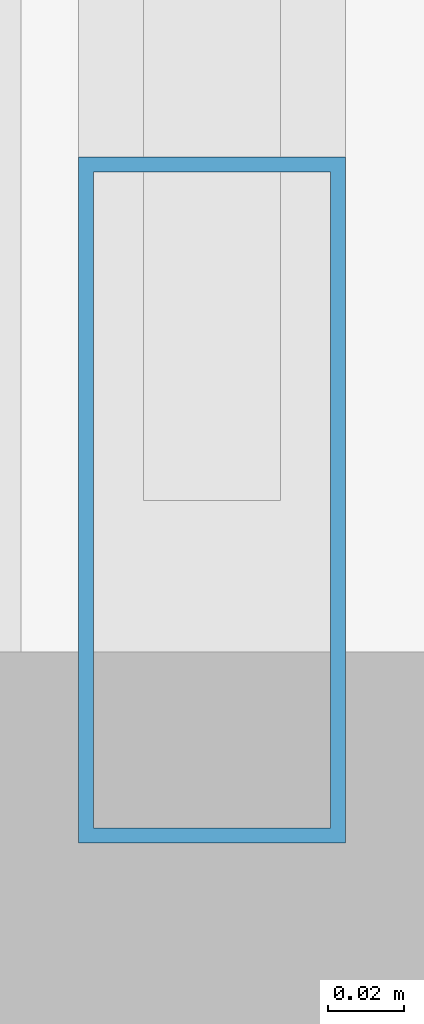
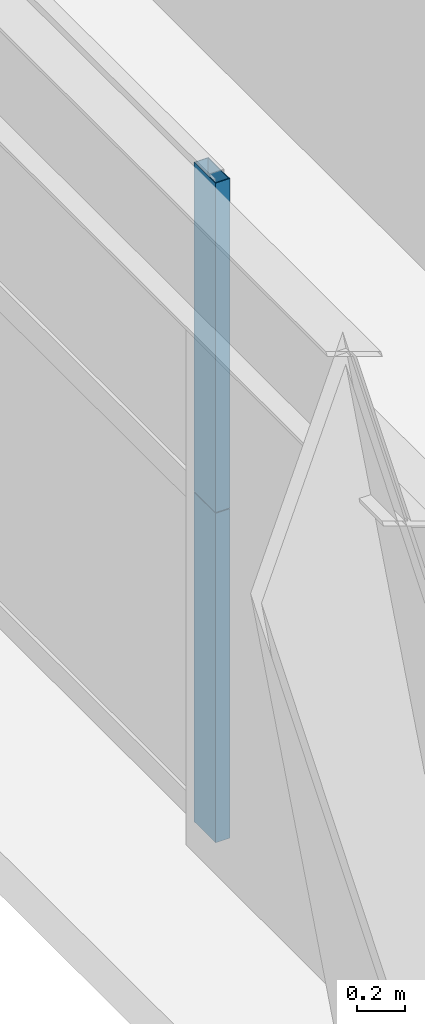
# One storey, part 6 of 43: 2 members, 1 element without a shape of its own.
"""IFC4 building model written with IfcOpenShell, lengths in metres."""

import ifcopenshell
import ifcopenshell.guid

model = None  # the IFC model being written
_history = None  # IfcOwnerHistory: only IFC2X3 demands one
_inside = {}  # id of a spatial element -> (the spatial element, [elements in it])
_under = {}  # id of a project, library or spatial element -> (it, [spatial elements below it])
_declared = {}  # id of a project -> (the project, [libraries it declares])
_typed = {}  # id of a type object -> (the type object, [elements of that type])
_made_of = {}  # id of a material, layer set ... -> (it, [elements and type objects made of it])


def new_model(schema):
    """Start an empty IFC model of exactly this schema.

    Asked for "IFC4X3", IfcOpenShell would pick the latest addendum, in which some entities
    have other attributes; the version numbers below select the first issue.
    IFC2X3 requires an IfcOwnerHistory on every rooted entity: one is made here for all.
    """
    global model, _history
    if schema == "IFC4X3":
        model = ifcopenshell.file(schema_version=(4, 3, 0, 0))
    else:
        model = ifcopenshell.file(schema=schema)
    _inside.clear()
    _under.clear()
    _declared.clear()
    _typed.clear()
    _made_of.clear()
    _history = None
    if model.schema == "IFC2X3":
        org = make("IfcOrganization", Name="unknown")
        user = make(
            "IfcPersonAndOrganization",
            ThePerson=make("IfcPerson", FamilyName="unknown"),
            TheOrganization=org,
        )
        app = make(
            "IfcApplication",
            ApplicationDeveloper=org,
            Version="unknown",
            ApplicationFullName="unknown",
            ApplicationIdentifier="unknown",
        )
        _history = make(
            "IfcOwnerHistory",
            OwningUser=user,
            OwningApplication=app,
            ChangeAction="ADDED",
            CreationDate=0,
        )
    return model


def make(cls, **values):
    """One entity of the class cls with the attributes given. An attribute that is None is left unset."""
    return model.create_entity(
        cls, **{name: value for name, value in values.items() if value is not None}
    )


def rooted(cls, **values):
    """An entity with a GlobalId (a new one), such as an element, a storey or a relation."""
    return make(cls, GlobalId=ifcopenshell.guid.new(), OwnerHistory=_history, **values)


def si_unit(unit_type, name, prefix=None):
    """IfcSIUnit, for example si_unit("LENGTHUNIT", "METRE", prefix="MILLI")."""
    return make("IfcSIUnit", UnitType=unit_type, Prefix=prefix, Name=name)


def assignment(units):
    """IfcUnitAssignment: the units of a project."""
    return None if units is None else make("IfcUnitAssignment", Units=units)


def point(xyz):
    """IfcCartesianPoint."""
    return None if xyz is None else make("IfcCartesianPoint", Coordinates=xyz)


def direction(xyz):
    """IfcDirection."""
    return None if xyz is None else make("IfcDirection", DirectionRatios=xyz)


def frame(location, z_axis=None, x_axis=None):
    """IfcAxis2Placement3D, a coordinate frame: its origin and axes. An axis left out is left unset."""
    return make(
        "IfcAxis2Placement3D",
        Location=point(location),
        Axis=direction(z_axis),
        RefDirection=direction(x_axis),
    )


def frame_2d(location, x_axis=None):
    """IfcAxis2Placement2D, a coordinate frame in the plane: its origin and x axis."""
    return make(
        "IfcAxis2Placement2D", Location=point(location), RefDirection=direction(x_axis)
    )


def origin():
    """The frame at (0, 0, 0) with its axes left unset."""
    return frame((0.0, 0.0, 0.0))


def origin_2d():
    """The frame at (0, 0) in the plane with its x axis left unset."""
    return frame_2d((0.0, 0.0))


def place(relative_to, where):
    """IfcLocalPlacement: puts the frame where relative to a parent placement (None: the world)."""
    return make(
        "IfcLocalPlacement", PlacementRelTo=relative_to, RelativePlacement=where
    )


def context(
    kind, dimensions, precision=None, world=None, true_north=None, identifier=None
):
    """IfcGeometricRepresentationContext, for example the 3D "Model" context."""
    return make(
        "IfcGeometricRepresentationContext",
        ContextIdentifier=identifier,
        ContextType=kind,
        CoordinateSpaceDimension=dimensions,
        Precision=precision,
        WorldCoordinateSystem=world,
        TrueNorth=true_north,
    )


def subcontext(parent, identifier, kind, view, scale=None):
    """IfcGeometricRepresentationSubContext, for example "Body" below "Model"."""
    return make(
        "IfcGeometricRepresentationSubContext",
        ContextIdentifier=identifier,
        ContextType=kind,
        ParentContext=parent,
        TargetScale=scale,
        TargetView=view,
    )


def project(units=None, contexts=None):
    """IfcProject with its units and contexts."""
    return rooted(
        "IfcProject",
        Name="project",
        RepresentationContexts=contexts,
        UnitsInContext=assignment(units),
    )


def spatial(cls, under=None, at=None, **own):
    """A site, building, storey or space (cls), placed at a placement, below another one or the project."""
    s = rooted(cls, ObjectPlacement=at, **own)
    if under is not None:
        _under.setdefault(under.id(), (under, []))[1].append(s)
    return s


def profile(cls, at=None, kind="AREA", **sizes):
    """A parametric profile (cls). Its sizes go by their IFC names, for example OverallWidth=200.0."""
    return make(cls, ProfileType=kind, Position=at, **sizes)


def hollow_rectangle(**sizes):
    """IfcRectangleHollowProfileDef."""
    return profile("IfcRectangleHollowProfileDef", **sizes)


def extrude(swept, where, along, depth):
    """IfcExtrudedAreaSolid: the profile swept, set in the frame where, extruded along a direction by depth."""
    return make(
        "IfcExtrudedAreaSolid",
        SweptArea=swept,
        Position=where,
        ExtrudedDirection=direction(along),
        Depth=depth,
    )


def shape(context_of_items, identifier, shape_type, items):
    """IfcShapeRepresentation: the items that make up one representation, for example the "Body"."""
    return make(
        "IfcShapeRepresentation",
        ContextOfItems=context_of_items,
        RepresentationIdentifier=identifier,
        RepresentationType=shape_type,
        Items=items,
    )


def source(mapping_origin, context_of_items, identifier, shape_type, items):
    """IfcRepresentationMap: a shape defined once, which mapped items show again and again."""
    return make(
        "IfcRepresentationMap",
        MappingOrigin=mapping_origin,
        MappedRepresentation=shape(context_of_items, identifier, shape_type, items),
    )


def transform(
    local_origin,
    x_axis=None,
    y_axis=None,
    z_axis=None,
    scale=None,
    scale2=None,
    scale3=None,
    uniform=True,
):
    """IfcCartesianTransformationOperator3D, or its non-uniform kind. x_axis, y_axis, z_axis: its Axis1, 2, 3."""
    if uniform:
        return make(
            "IfcCartesianTransformationOperator3D",
            Axis1=direction(x_axis),
            Axis2=direction(y_axis),
            LocalOrigin=point(local_origin),
            Scale=scale,
            Axis3=direction(z_axis),
        )
    return make(
        "IfcCartesianTransformationOperator3DnonUniform",
        Axis1=direction(x_axis),
        Axis2=direction(y_axis),
        LocalOrigin=point(local_origin),
        Scale=scale,
        Axis3=direction(z_axis),
        Scale2=scale2,
        Scale3=scale3,
    )


def mapped(mapping_source, mapping_target):
    """IfcMappedItem: shows the shape of a source again, moved by a transform."""
    return make(
        "IfcMappedItem", MappingSource=mapping_source, MappingTarget=mapping_target
    )


def material(Name=None, Category=None):
    """IfcMaterial."""
    return make("IfcMaterial", Name=Name, Category=Category)


def layer(
    of_material, thickness, ventilated=None, Name=None, Category=None, Priority=None
):
    """IfcMaterialLayer: one layer of a wall or slab, of a material (None: an air gap)."""
    return make(
        "IfcMaterialLayer",
        Material=of_material,
        LayerThickness=thickness,
        IsVentilated=ventilated,
        Name=Name,
        Category=Category,
        Priority=Priority,
    )


def layer_set(layers, Name=None):
    """IfcMaterialLayerSet."""
    return make("IfcMaterialLayerSet", MaterialLayers=layers, LayerSetName=Name)


def material_profile(
    of_material, cross_section, Name=None, Category=None, Priority=None
):
    """IfcMaterialProfile: a cross section and its material."""
    return make(
        "IfcMaterialProfile",
        Name=Name,
        Material=of_material,
        Profile=cross_section,
        Priority=Priority,
        Category=Category,
    )


def profile_set(profiles, Name=None, composite=None):
    """IfcMaterialProfileSet."""
    return make(
        "IfcMaterialProfileSet",
        Name=Name,
        MaterialProfiles=profiles,
        CompositeProfile=composite,
    )


def made_of(thing, what):
    """Note that an element or type object is made of a material, layer set ...; save() writes the relation."""
    if what is not None:
        _made_of.setdefault(what.id(), (what, []))[1].append(thing)
    return thing


def type_object(cls, material=None, **own):
    """A type object (cls), such as IfcWallType, which elements share."""
    return made_of(rooted(cls, **own), material)


def element(
    cls,
    number,
    at=None,
    inside=None,
    cuts=None,
    type_object=None,
    material=None,
    context=None,
    identifier="Body",
    shape_type=None,
    held_by="IfcProductDefinitionShape",
    body=None,
    shapes=None,
    **own,
):
    """One element of the class cls, such as IfcWall. Its Tag is "e" and its number.

    at: its placement. inside: the storey or other place that contains it. cuts: it is an
    opening in that element (IfcRelVoidsElement). A single representation is given by context,
    identifier, shape_type and body (its items); several are given by shapes. held_by: the class
    of the entity that holds the representations. save() writes the other relations.
    """
    e = rooted(cls, Tag="e%d" % number, ObjectPlacement=at, **own)
    if body is not None:
        shapes = [shape(context, identifier, shape_type, body)]
    if shapes is not None:
        e.Representation = make(held_by, Representations=shapes)
    if inside is not None:
        _inside.setdefault(inside.id(), (inside, []))[1].append(e)
    if cuts is not None:
        rooted(
            "IfcRelVoidsElement", RelatingBuildingElement=cuts, RelatedOpeningElement=e
        )
    if type_object is not None:
        _typed.setdefault(type_object.id(), (type_object, []))[1].append(e)
    return made_of(e, material)


def aggregate(whole, parts):
    """IfcRelAggregates: a whole, such as a stair, and the parts it consists of."""
    return rooted("IfcRelAggregates", RelatingObject=whole, RelatedObjects=parts)


def save(model, path):
    """Write the relations noted so far, then the file.

    IfcRelAggregates (storeys below a building ...), IfcRelContainedInSpatialStructure (elements
    in a storey), IfcRelDefinesByType, IfcRelAssociatesMaterial and IfcRelDeclares: one each for
    every whole, place, type object, material and project.
    """
    for whole, parts in _under.values():
        aggregate(whole, parts)
    for where, things in _inside.values():
        rooted(
            "IfcRelContainedInSpatialStructure",
            RelatedElements=things,
            RelatingStructure=where,
        )
    for kind, things in _typed.values():
        rooted("IfcRelDefinesByType", RelatedObjects=things, RelatingType=kind)
    for what, things in _made_of.values():
        rooted("IfcRelAssociatesMaterial", RelatedObjects=things, RelatingMaterial=what)
    for by, libraries in _declared.values():
        rooted("IfcRelDeclares", RelatingContext=by, RelatedDefinitions=libraries)
    model.write(path)


model = new_model("IFC4")

# Units and contexts
model_context = context("Model", 3, precision=1e-05, world=origin(), true_north=direction((0.0, 1.0)))
body_context = subcontext(model_context, "Body", "Model", "MODEL_VIEW")
ifc_project = project(units=[si_unit("LENGTHUNIT", "METRE"), si_unit("AREAUNIT", "SQUARE_METRE"), si_unit("VOLUMEUNIT", "CUBIC_METRE"), si_unit("PLANEANGLEUNIT", "RADIAN"), si_unit("MASSUNIT", "GRAM", prefix="KILO"), si_unit("THERMODYNAMICTEMPERATUREUNIT", "KELVIN"), si_unit("POWERUNIT", "WATT")], contexts=[model_context])

# Site, building, storey
site_placement = place(None, origin())
site = spatial("IfcSite", under=ifc_project, at=site_placement, CompositionType="ELEMENT")
building_placement = place(site_placement, origin())
building = spatial("IfcBuilding", under=site, at=building_placement, Name="Yuzanri Waterfront Tower", CompositionType="ELEMENT")
storey_placement = place(building_placement, frame((0.0, 0.0, 159.60009765625)))
storey = spatial("IfcBuildingStorey", under=building, at=storey_placement, Name="L42", CompositionType="ELEMENT", Elevation=159.60009765625)

# Curtain wall, members
ifc_material_1 = material(Name="Anodized Architectural Bronze", Category="metal")
ifc_layer = layer(ifc_material_1, 0.159912109375)
ifc_layer_set = layer_set([ifc_layer], Name="Anodized Architectural Bronze")
curtain_wall_type = type_object("IfcCurtainWallType", Name="Anodized Bronze Hotel Upper-Tier Solar-Control Unitized Curtain Wall 7800", PredefinedType="NOTDEFINED", material=ifc_layer_set)
curtain_wall_placement = place(storey_placement, origin())
curtain_wall = element("IfcCurtainWall", 1, at=curtain_wall_placement, inside=storey, type_object=curtain_wall_type, Name="L42 Curtain Wall CW-L42-WL", PredefinedType="NOTDEFINED")
ifc_material_2 = material(Name="Anodized Architectural Bronze", Category="metal")
ifc_material_profile = material_profile(ifc_material_2, hollow_rectangle(XDim=0.070068359375, YDim=0.179931640625, WallThickness=0.00390625, at=origin_2d()), Name="CWM 70x180")
ifc_profile_set = profile_set([ifc_material_profile], Name="Anodized Architectural Bronze")
member_type = type_object("IfcMemberType", Name="Anodized Bronze Standard Curtain-Wall Mullion 70x180", PredefinedType="MULLION", material=ifc_profile_set)
shared_shape = source(origin(), body_context, "Body", "SweptSolid", [
    extrude(hollow_rectangle(XDim=0.070068359375, YDim=0.179931640625, WallThickness=0.00390625, at=origin_2d()), origin(), (0.0, 0.0, 1.0), 1.68798828125),
])
member_1_placement = place(storey_placement, frame((13.550048828125, 9.590087890625, 0.0), z_axis=(0.0, 0.0, 1.0), x_axis=(1.0, 0.0, 0.0)))
member_1 = element("IfcMember", 2, at=member_1_placement, type_object=member_type, Name="CW-L42-WL Lower Mullion 00", PredefinedType="MULLION", context=body_context, shape_type="MappedRepresentation", body=[
    mapped(shared_shape, transform((0.0, 0.0, 0.0), scale=1.0)),
])
member_2_placement = place(storey_placement, frame((13.550048828125, 9.590087890625, 1.69189453125), z_axis=(0.0, 0.0, 1.0), x_axis=(1.0, 0.0, 0.0)))
member_2 = element("IfcMember", 3, at=member_2_placement, type_object=member_type, Name="CW-L42-WL Upper Mullion 00", PredefinedType="MULLION", context=body_context, shape_type="MappedRepresentation", body=[
    mapped(shared_shape, transform((0.0, 0.0, 0.0), scale=1.0)),
])
aggregate(curtain_wall, [member_1, member_2])

save(model, "model.ifc")
